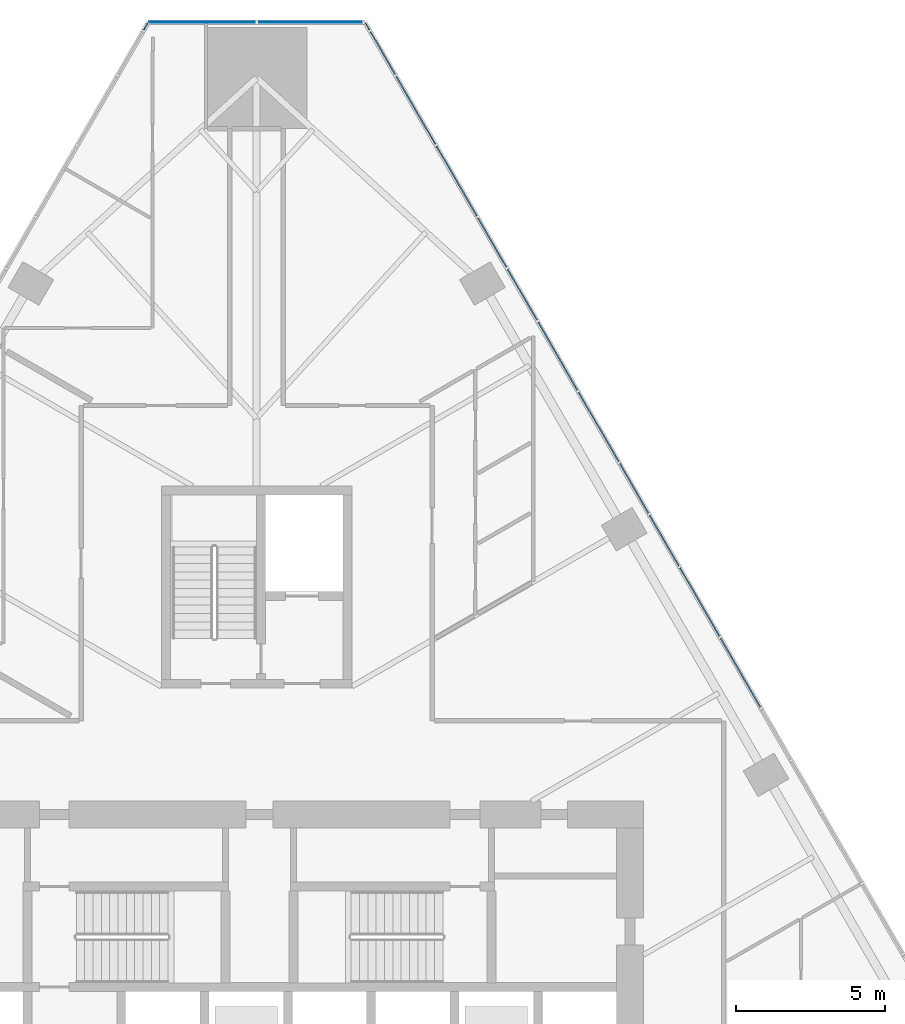
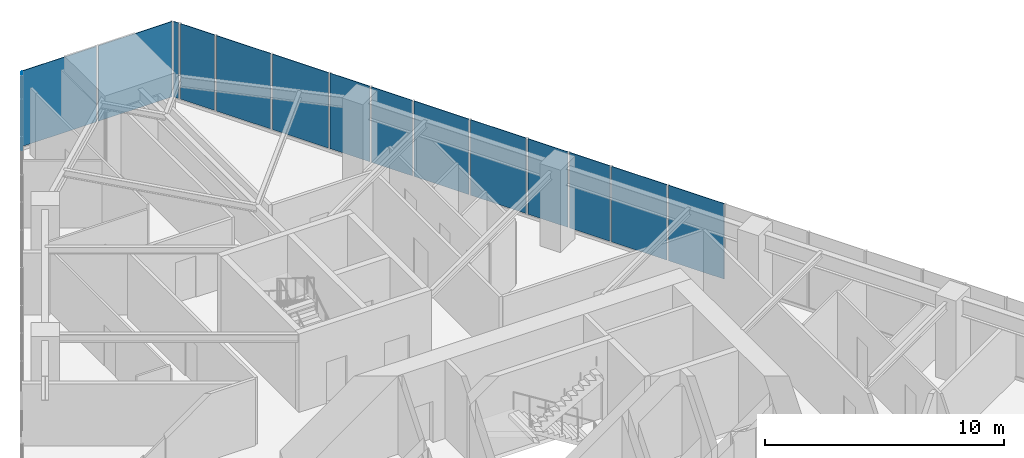
# One storey, part 17 of 25: 15 plates, 3 elements without a shape of their own.
"""IFC4 building model written with IfcOpenShell, lengths in metres."""

from ifc_helpers import new_model, si_unit, direction, frame, origin, place, context, subcontext, project, spatial, polyline, outline, extrude, material, layer, layer_set, type_object, element, aggregate, save


model = new_model("IFC4")

# Units and contexts
model_context = context("Model", 3, precision=1e-05, world=origin(), true_north=direction((0.0, 1.0)))
body_context = subcontext(model_context, "Body", "Model", "MODEL_VIEW")
ifc_project = project(units=[si_unit("LENGTHUNIT", "METRE"), si_unit("AREAUNIT", "SQUARE_METRE"), si_unit("VOLUMEUNIT", "CUBIC_METRE"), si_unit("PLANEANGLEUNIT", "RADIAN"), si_unit("MASSUNIT", "GRAM", prefix="KILO")], contexts=[model_context])

# Site, building, storey
site_placement = place(None, origin())
site = spatial("IfcSite", under=ifc_project, at=site_placement, CompositionType="ELEMENT")
building_placement = place(site_placement, origin())
building = spatial("IfcBuilding", under=site, at=building_placement, Name="Firuza Gate Tower and Library", CompositionType="ELEMENT")
storey_placement = place(building_placement, frame((0.0, 0.0, 61.0)))
storey = spatial("IfcBuildingStorey", under=building, at=storey_placement, Name="L13", CompositionType="ELEMENT", Elevation=61.0)

# Curtain wall, plates
ifc_material_1 = material(Name="Aluminium 6063-T6", Category="aluminium")
ifc_layer_1 = layer(ifc_material_1, 0.14990234375)
ifc_layer_set_1 = layer_set([ifc_layer_1], Name="Corner curtain wall, chamfers")
curtain_wall_type_1 = type_object("IfcCurtainWallType", Name="Corner curtain wall, chamfers", PredefinedType="NOTDEFINED", material=ifc_layer_set_1)
placement = place(storey_placement, origin())
curtain_wall_1 = element("IfcCurtainWall", 1, at=placement, inside=storey, type_object=curtain_wall_type_1, Name="CW4 L13 N corner", PredefinedType="NOTDEFINED")
ifc_material_2 = material(Name="Fritted glass", Category="glass")
ifc_layer_2 = layer(ifc_material_2, 0.030029296875)
ifc_layer_set_2 = layer_set([ifc_layer_2], Name="Fritted glass unit, corners")
plate_type_1 = type_object("IfcPlateType", Name="Fritted glass unit, corners", PredefinedType="CURTAIN_PANEL", material=ifc_layer_set_2)
plate_1_placement = place(storey_placement, frame((78.603271484375, 110.19677734375, 0.14990234375), z_axis=(0.0, 1.0, 0.0), x_axis=(-1.0, 0.0, 0.0)))
plate_1 = element("IfcPlate", 2, at=plate_1_placement, type_object=plate_type_1, Name="Glass unit", PredefinedType="CURTAIN_PANEL", context=body_context, shape_type="SweptSolid", body=[
    extrude(outline(polyline([(0.0, 0.0), (3.563232421875, 0.0), (3.563232421875, 3.85009765625), (0.0, 3.85009765625), (0.0, 0.0)])), origin(), (0.0, 0.0, -1.0), 0.030029296875),
])
plate_2_placement = place(storey_placement, frame((74.9599609375, 110.19677734375, 0.14990234375), z_axis=(0.0, 1.0, 0.0), x_axis=(-1.0, 0.0, 0.0)))
plate_2 = element("IfcPlate", 3, at=plate_2_placement, type_object=plate_type_1, Name="Glass unit", PredefinedType="CURTAIN_PANEL", context=body_context, shape_type="SweptSolid", body=[
    extrude(outline(polyline([(0.0, 0.0), (3.563232421875, 0.0), (3.563232421875, 3.85009765625), (0.0, 3.85009765625), (0.0, 0.0)])), origin(), (0.0, 0.0, -1.0), 0.030029296875),
])
aggregate(curtain_wall_1, [plate_1, plate_2])

ifc_material_3 = material(Name="Aluminium 6063-T6", Category="aluminium")
ifc_layer_3 = layer(ifc_material_3, 0.14990234375)
ifc_layer_set_3 = layer_set([ifc_layer_3], Name="Unitised curtain wall, offices")
curtain_wall_type_2 = type_object("IfcCurtainWallType", Name="Unitised curtain wall, offices", PredefinedType="NOTDEFINED", material=ifc_layer_set_3)
curtain_wall_2 = element("IfcCurtainWall", 4, at=placement, inside=storey, type_object=curtain_wall_type_2, Name="CW1 L13 E face", PredefinedType="NOTDEFINED")
ifc_material_4 = material(Name="Fritted glass", Category="glass")
ifc_layer_4 = layer(ifc_material_4, 0.030029296875)
ifc_layer_set_4 = layer_set([ifc_layer_4], Name="Fritted glass unit, offices")
plate_type_2 = type_object("IfcPlateType", Name="Fritted glass unit, offices", PredefinedType="CURTAIN_PANEL", material=ifc_layer_set_4)
plate_3_placement = place(storey_placement, frame((89.203125, 91.921875, 0.14990234375), z_axis=(0.865975605109, 0.500086243919, 0.0), x_axis=(-0.500086243919, 0.865975605109, 0.0)))
plate_3 = element("IfcPlate", 5, at=plate_3_placement, type_object=plate_type_2, Name="Glass unit", PredefinedType="CURTAIN_PANEL", context=body_context, shape_type="SweptSolid", body=[
    extrude(outline(polyline([(0.0, 0.0), (1.9557173500432112, 0.0), (1.9557173500432112, 3.85009765625), (0.0, 3.85009765625), (0.0, 0.0)])), origin(), (0.0, 0.0, -1.0), 0.030029296875),
])
plate_4_placement = place(storey_placement, frame((88.185302734375, 93.684814453125, 0.14990234375), z_axis=(0.86598091233, 0.500077053543, 0.0), x_axis=(-0.500077053543, 0.86598091233, 0.0)))
plate_4 = element("IfcPlate", 6, at=plate_4_placement, type_object=plate_type_2, Name="Glass unit", PredefinedType="CURTAIN_PANEL", context=body_context, shape_type="SweptSolid", body=[
    extrude(outline(polyline([(0.0, 0.0), (1.9269491372336889, 0.0), (1.9269491372336889, 3.85009765625), (0.0, 3.85009765625), (0.0, 0.0)])), origin(), (0.0, 0.0, -1.0), 0.030029296875),
])
plate_5_placement = place(storey_placement, frame((84.435791015625, 100.178955078125, 0.14990234375), z_axis=(0.865999842505, 0.500044270822, 0.0), x_axis=(-0.500044270822, 0.865999842505, 0.0)))
plate_5 = element("IfcPlate", 7, at=plate_5_placement, type_object=plate_type_2, Name="Glass unit", PredefinedType="CURTAIN_PANEL", context=body_context, shape_type="SweptSolid", body=[
    extrude(outline(polyline([(0.0, 0.0), (1.97004041313216, 0.0), (1.97004041313216, 3.85009765625), (0.0, 3.85009765625), (0.0, 0.0)])), origin(), (0.0, 0.0, -1.0), 0.030029296875),
])
plate_6_placement = place(storey_placement, frame((83.41064453125, 101.954345703125, 0.14990234375), z_axis=(0.866066541489, 0.499928740635, 0.0), x_axis=(-0.499928740635, 0.866066541489, 0.0)))
plate_6 = element("IfcPlate", 8, at=plate_6_placement, type_object=plate_type_2, Name="Glass unit", PredefinedType="CURTAIN_PANEL", context=body_context, shape_type="SweptSolid", body=[
    extrude(outline(polyline([(0.0, 0.0), (1.9123819252415881, 0.0), (1.9123819252415881, 3.85009765625), (0.0, 3.85009765625), (0.0, 0.0)])), origin(), (0.0, 0.0, -1.0), 0.030029296875),
])
plate_7_placement = place(storey_placement, frame((79.668701171875, 108.43603515625, 0.14990234375), z_axis=(0.865971650761, 0.500093091412, 0.0), x_axis=(-0.500093091412, 0.865971650761, 0.0)))
plate_7 = element("IfcPlate", 9, at=plate_7_placement, type_object=plate_type_2, Name="Glass unit", PredefinedType="CURTAIN_PANEL", context=body_context, shape_type="SweptSolid", body=[
    extrude(outline(polyline([(0.0, 0.0), (1.6535007403141069, 0.0), (1.6535007403141069, 3.85009765625), (0.0, 3.85009765625), (0.0, 0.0)])), origin(), (0.0, 0.0, -1.0), 0.030029296875),
])
ifc_material_5 = material(Name="Glazed ceramic tile")
ifc_layer_5 = layer(ifc_material_5, 0.030029296875)
ifc_layer_set_5 = layer_set([ifc_layer_5], Name="Opaque ceramic panel, offices")
plate_type_3 = type_object("IfcPlateType", Name="Opaque ceramic panel, offices", PredefinedType="CURTAIN_PANEL", material=ifc_layer_set_5)
plate_8_placement = place(storey_placement, frame((91.948974609375, 87.165771484375, 0.14990234375), z_axis=(0.866003068511, 0.500038683832, 0.0), x_axis=(-0.500038683832, 0.866003068511, 0.0)))
plate_8 = element("IfcPlate", 10, at=plate_8_placement, type_object=plate_type_3, Name="Opaque ceramic panel", PredefinedType="CURTAIN_PANEL", context=body_context, shape_type="SweptSolid", body=[
    extrude(outline(polyline([(0.0, 0.0), (2.6731330296893283, 0.0), (2.6731330296893283, 3.85009765625), (0.0, 3.85009765625), (0.0, 0.0)])), origin(), (0.0, 0.0, -1.0), 0.030029296875),
])
plate_9_placement = place(storey_placement, frame((90.572509765625, 89.550048828125, 0.14990234375), z_axis=(0.866025021616, 0.500000661934, 0.0), x_axis=(-0.500000661934, 0.866025021616, 0.0)))
plate_9 = element("IfcPlate", 11, at=plate_9_placement, type_object=plate_type_3, Name="Opaque ceramic panel", PredefinedType="CURTAIN_PANEL", context=body_context, shape_type="SweptSolid", body=[
    extrude(outline(polyline([(0.0, 0.0), (2.6586878864976127, 0.0), (2.6586878864976127, 3.85009765625), (0.0, 3.85009765625), (0.0, 0.0)])), origin(), (0.0, 0.0, -1.0), 0.030029296875),
])
plate_10_placement = place(storey_placement, frame((87.181640625, 95.4228515625, 0.14990234375), z_axis=(0.866020687897, 0.500008168067, 0.0), x_axis=(-0.500008168067, 0.866020687897, 0.0)))
plate_10 = element("IfcPlate", 12, at=plate_10_placement, type_object=plate_type_3, Name="Opaque ceramic panel", PredefinedType="CURTAIN_PANEL", context=body_context, shape_type="SweptSolid", body=[
    extrude(outline(polyline([(0.0, 0.0), (2.6874560973551427, 0.0), (2.6874560973551427, 3.850097656250001), (0.0, 3.850097656250001), (0.0, 0.0)])), origin(), (0.0, 0.0, -1.0), 0.030029296875),
])
plate_11_placement = place(storey_placement, frame((85.7978515625, 97.819580078125, 0.14990234375), z_axis=(0.866047212878, 0.499962223639, 0.0), x_axis=(-0.499962223639, 0.866047212878, 0.0)))
plate_11 = element("IfcPlate", 13, at=plate_11_placement, type_object=plate_type_3, Name="Opaque ceramic panel", PredefinedType="CURTAIN_PANEL", context=body_context, shape_type="SweptSolid", body=[
    extrude(outline(polyline([(0.0, 0.0), (2.644242748486787, 0.0), (2.644242748486787, 3.850097656250001), (0.0, 3.850097656250001), (0.0, 0.0)])), origin(), (0.0, 0.0, -1.0), 0.030029296875),
])
plate_12_placement = place(storey_placement, frame((82.41455078125, 103.679931640625, 0.14990234375), z_axis=(0.86599899139, 0.50004574482, 0.0), x_axis=(-0.50004574482, 0.86599899139, 0.0)))
plate_12 = element("IfcPlate", 14, at=plate_12_placement, type_object=plate_type_3, Name="Opaque ceramic panel", PredefinedType="CURTAIN_PANEL", context=body_context, shape_type="SweptSolid", body=[
    extrude(outline(polyline([(0.0, 0.0), (2.701901241530672, 0.0), (2.701901241530672, 3.85009765625), (0.0, 3.85009765625), (0.0, 0.0)])), origin(), (0.0, 0.0, -1.0), 0.030029296875),
])
plate_13_placement = place(storey_placement, frame((81.0234375, 106.089111328125, 0.14990234375), z_axis=(0.86602945008, 0.499992991546, 0.0), x_axis=(-0.499992991546, 0.86602945008, 0.0)))
plate_13 = element("IfcPlate", 15, at=plate_13_placement, type_object=plate_type_3, Name="Opaque ceramic panel", PredefinedType="CURTAIN_PANEL", context=body_context, shape_type="SweptSolid", body=[
    extrude(outline(polyline([(0.0, 0.0), (2.6299196758441816, 0.0), (2.6299196758441816, 3.85009765625), (0.0, 3.85009765625), (0.0, 0.0)])), origin(), (0.0, 0.0, -1.0), 0.030029296875),
])
plate_14_placement = place(storey_placement, frame((78.802001953125, 109.93701171875, 0.14990234375), z_axis=(0.865780878536, 0.500423291185, 0.0), x_axis=(-0.500423291185, 0.865780878536, 0.0)))
plate_14 = element("IfcPlate", 16, at=plate_14_placement, type_object=plate_type_3, Name="Opaque ceramic panel", PredefinedType="CURTAIN_PANEL", context=body_context, shape_type="SweptSolid", body=[
    extrude(outline(polyline([(0.0, 0.0), (0.2512521381192305, 0.0), (0.2512521381192305, 3.85009765625), (0.0, 3.85009765625), (0.0, 0.0)])), origin(), (0.0, 0.0, -1.0), 0.030029296875),
])
aggregate(curtain_wall_2, [plate_8, plate_9, plate_3, plate_4, plate_10, plate_11, plate_5, plate_6, plate_12, plate_13, plate_7, plate_14])

# Curtain wall, plate
curtain_wall_3 = element("IfcCurtainWall", 17, at=placement, inside=storey, type_object=curtain_wall_type_2, Name="CW1 L13 W face", PredefinedType="NOTDEFINED")
plate_15_placement = place(storey_placement, frame((71.32373046875, 110.154541015625, 0.14990234375), z_axis=(-0.865780878536, 0.500423291185, 0.0), x_axis=(-0.500423291185, -0.865780878536, 0.0)))
plate_15 = element("IfcPlate", 18, at=plate_15_placement, type_object=plate_type_3, Name="Opaque ceramic panel", PredefinedType="CURTAIN_PANEL", context=body_context, shape_type="SweptSolid", body=[
    extrude(outline(polyline([(0.0, 0.0), (0.2512521381192305, 0.0), (0.2512521381192305, 3.85009765625), (0.0, 3.85009765625), (0.0, 0.0)])), origin(), (0.0, 0.0, -1.0), 0.030029296875),
])
aggregate(curtain_wall_3, [plate_15])

save(model, "model.ifc")
